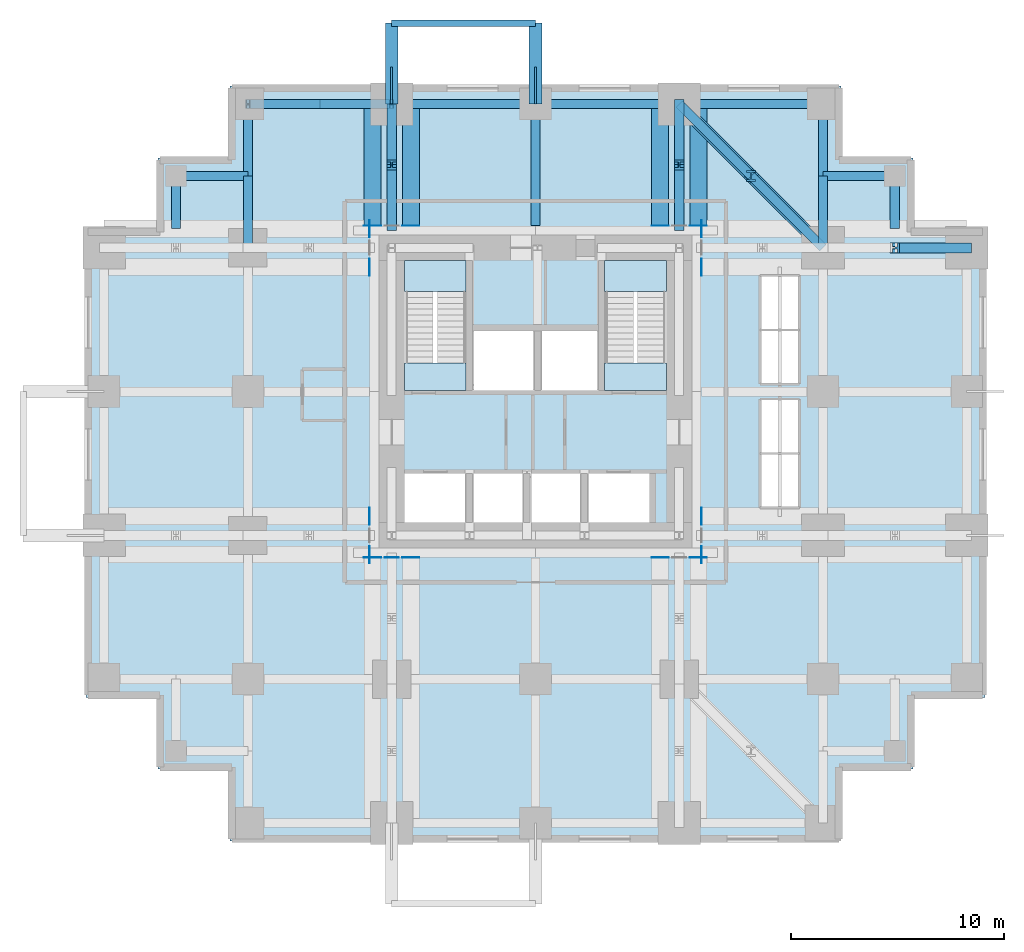
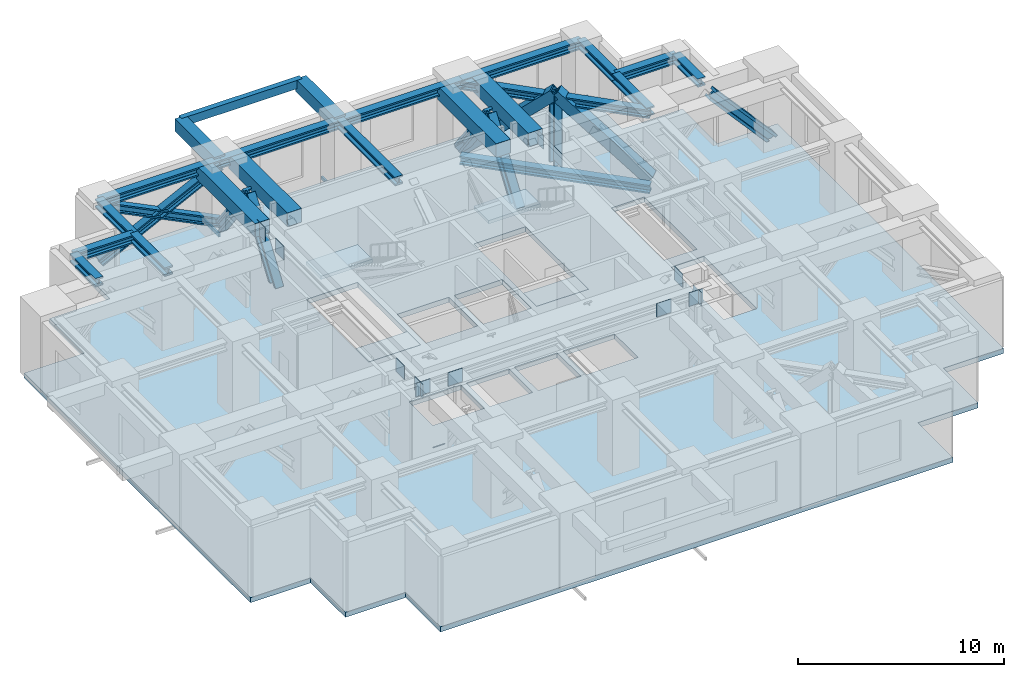
# One storey, part 3 of 6: 20 beams, 17 plates, 15 members, 5 slabs, 2 elements without a shape of their own.
"""IFC4 building model written with IfcOpenShell, lengths in metres."""

from ifc_helpers import new_model, si_unit, direction, frame, origin, origin_2d, place, context, subcontext, project, spatial, polyline, rectangle, hollow_rectangle, i_section, outline, extrude, material, layer, layer_set, material_profile, profile_set, type_object, element, aggregate, save


model = new_model("IFC4")

# Units and contexts
model_context = context("Model", 3, precision=1e-05, world=origin(), true_north=direction((0.0, 1.0)))
body_context = subcontext(model_context, "Body", "Model", "MODEL_VIEW")
ifc_project = project(units=[si_unit("LENGTHUNIT", "METRE"), si_unit("AREAUNIT", "SQUARE_METRE"), si_unit("VOLUMEUNIT", "CUBIC_METRE"), si_unit("PLANEANGLEUNIT", "RADIAN"), si_unit("MASSUNIT", "GRAM", prefix="KILO")], contexts=[model_context])

# Site, building, storey
site_placement = place(None, origin())
site = spatial("IfcSite", under=ifc_project, at=site_placement, CompositionType="ELEMENT")
building_placement = place(site_placement, origin())
building = spatial("IfcBuilding", under=site, at=building_placement, Name="Nyansa Garden Tower", CompositionType="ELEMENT")
storey_placement = place(building_placement, frame((0.0, 0.0, 137.699951171875)))
storey = spatial("IfcBuildingStorey", under=building, at=storey_placement, Name="L37", CompositionType="ELEMENT", Elevation=137.699951171875)

# Beams
ifc_material_1 = material(Name="Concrete C70/85", Category="concrete")
ifc_material_profile_1 = material_profile(ifc_material_1, rectangle(XDim=0.60009765625, YDim=0.75, at=origin_2d()), Name="RC 600x750")
ifc_profile_set_1 = profile_set([ifc_material_profile_1], Name="Concrete C70/85")
beam_type_1 = type_object("IfcBeamType", Name="Balcony cantilever beam CB1 RC 600x750", PredefinedType="BEAM", material=ifc_profile_set_1)
for number, where, z_axis, x_axis, name in (
    (1, (13.5, 33.75, 3.885009765625), (0.0, 1.0, 0.0), (-1.0, 0.0, 0.0), "Balcony cantilever beam L38"),
    (2, (20.25, 33.75, 3.885009765625), (0.0, 1.0, 0.0), (-1.0, 0.0, 0.0), "Balcony cantilever beam L38"),
):
    element("IfcBeam", number, at=place(storey_placement, frame(where, z_axis=z_axis, x_axis=x_axis)), inside=storey, type_object=beam_type_1, Name=name, PredefinedType="BEAM", context=body_context, shape_type="SweptSolid", body=[
        extrude(rectangle(XDim=0.60009765625, YDim=0.75, at=origin_2d()), origin(), (0.0, 0.0, 1.0), 3.800048828125),
    ])
ifc_material_2 = material(Name="Concrete C70/85", Category="concrete")
ifc_material_profile_2 = material_profile(ifc_material_2, rectangle(XDim=0.300048828125, YDim=0.5, at=origin_2d()), Name="RC 300x500")
ifc_profile_set_2 = profile_set([ifc_material_profile_2], Name="Concrete C70/85")
beam_type_2 = type_object("IfcBeamType", Name="Balcony edge beam BE1 RC 300x500", PredefinedType="BEAM", material=ifc_profile_set_2)
beam_1_placement = place(storey_placement, frame((13.5, 37.550048828125, 4.010009765625), z_axis=(1.0, 0.0, 0.0), x_axis=(0.0, 1.0, 0.0)))
element("IfcBeam", 3, at=beam_1_placement, inside=storey, type_object=beam_type_2, Name="Balcony edge beam L38", PredefinedType="BEAM", context=body_context, shape_type="SweptSolid", body=[
    extrude(rectangle(XDim=0.300048828125, YDim=0.5, at=origin_2d()), origin(), (0.0, 0.0, 1.0), 6.75),
])

# Members
ifc_material_3 = material(Name="Steel S355", Category="steel")
ifc_material_profile_3 = material_profile(ifc_material_3, i_section(OverallWidth=0.424072265625, OverallDepth=0.47412109375, WebThickness=0.047607421875, FlangeThickness=0.076904296875, FilletRadius=0.014892578125, at=origin_2d()), Name="HD 400x634")
ifc_profile_set_3 = profile_set([ifc_material_profile_3], Name="Steel S355")
member_type_1 = type_object("IfcMemberType", Name="Belt truss diagonal HD 400x634", PredefinedType="BRACE", material=ifc_profile_set_3)
for number, where, z_axis, x_axis, name in (
    (4, (6.75, 33.75, 0.400146484375), (0.895758031475, 0.0, 0.444541954205), (0.0, 1.0, 0.0), "Belt truss diagonal N1a L37"),
    (5, (13.5, 33.75, 0.400146484375), (-0.895758031475, 0.0, 0.444541954205), (0.0, -1.0, 0.0), "Belt truss diagonal N1b L37"),
):
    element("IfcMember", number, at=place(storey_placement, frame(where, z_axis=z_axis, x_axis=x_axis)), inside=storey, type_object=member_type_1, Name=name, PredefinedType="BRACE", context=body_context, shape_type="SweptSolid", body=[
        extrude(i_section(OverallWidth=0.424072265625, OverallDepth=0.47412109375, WebThickness=0.047607421875, FlangeThickness=0.076904296875, FilletRadius=0.014892578125, at=origin_2d()), origin(), (0.0, 0.0, 1.0), 7.535400390625),
    ])
ifc_material_4 = material(Name="Steel S355, black powder coated", Category="steel")
ifc_material_profile_4 = material_profile(ifc_material_4, hollow_rectangle(XDim=0.10009765625, YDim=0.199951171875, WallThickness=0.008056640625, at=origin_2d()), Name="RHS 200x100x8")
ifc_profile_set_4 = profile_set([ifc_material_profile_4], Name="Steel S355, black powder coated")
member_type_2 = type_object("IfcMemberType", Name="Outer skin bracket arm RHS 200x100x8", PredefinedType="USERDEFINED", material=ifc_profile_set_4)
for number, where, z_axis, x_axis, name in (
    (6, (13.5, 33.75, -0.449951171875), (0.0, 1.0, 0.0), (-1.0, 0.0, 0.0), "Outer skin bracket arm"),
    (7, (20.25, 33.75, -0.449951171875), (0.0, 1.0, 0.0), (-1.0, 0.0, 0.0), "Outer skin bracket arm"),
):
    element("IfcMember", number, at=place(storey_placement, frame(where, z_axis=z_axis, x_axis=x_axis)), inside=storey, type_object=member_type_2, Name=name, ObjectType="OUTER SKIN BRACKET", PredefinedType="USERDEFINED", context=body_context, shape_type="SweptSolid", body=[
        extrude(hollow_rectangle(XDim=0.10009765625, YDim=0.199951171875, WallThickness=0.008056640625, at=origin_2d()), origin(), (0.0, 0.0, 1.0), 1.75),
    ])

# Beams
ifc_material_5 = material(Name="Steel S355", Category="steel")
ifc_material_profile_5 = material_profile(ifc_material_5, hollow_rectangle(XDim=0.800048828125, YDim=0.800048828125, WallThickness=0.125, at=origin_2d()), Name="Welded box 800x800x125")
ifc_profile_set_5 = profile_set([ifc_material_profile_5], Name="Steel S355")
beam_type_3 = type_object("IfcBeamType", Name="Outrigger chord OC3 welded box 800x800x125 S355", PredefinedType="BEAM", material=ifc_profile_set_5)
for number, where, z_axis, x_axis, name in (
    (8, (12.60009765625, 28.050048828125, 3.75), (0.0, 1.0, 0.0), (-1.0, 0.0, 0.0), "Beam 4/28.050-4/J L38 a"),
    (9, (14.39990234375, 28.050048828125, 3.75), (0.0, 1.0, 0.0), (-1.0, 0.0, 0.0), "Beam 4/28.050-4/J L38 b"),
    (10, (26.10009765625, 28.050048828125, 3.75), (0.0, 1.0, 0.0), (-1.0, 0.0, 0.0), "Beam 6/28.050-6/J L38 a"),
    (11, (27.89990234375, 28.050048828125, 3.75), (0.0, 1.0, 0.0), (-1.0, 0.0, 0.0), "Beam 6/28.050-6/J L38 b"),
):
    element("IfcBeam", number, at=place(storey_placement, frame(where, z_axis=z_axis, x_axis=x_axis)), inside=storey, type_object=beam_type_3, Name=name, PredefinedType="BEAM", context=body_context, shape_type="SweptSolid", body=[
        extrude(hollow_rectangle(XDim=0.800048828125, YDim=0.800048828125, WallThickness=0.125, at=origin_2d()), origin(), (0.0, 0.0, 1.0), 5.699951171875),
    ])

# Members
ifc_material_6 = material(Name="Steel S355", Category="steel")
ifc_material_profile_6 = material_profile(ifc_material_6, i_section(OverallWidth=0.4541015625, OverallDepth=0.569091796875, WebThickness=0.077880859375, FlangeThickness=0.125, FilletRadius=0.014892578125, at=origin_2d()), Name="HD 400x1086")
ifc_profile_set_6 = profile_set([ifc_material_profile_6], Name="Steel S355")
member_type_3 = type_object("IfcMemberType", Name="Outrigger truss diagonal HD 400x1086", PredefinedType="BRACE", material=ifc_profile_set_6)
member_1_placement = place(storey_placement, frame((13.5, 28.050048828125, -0.300048828125), z_axis=(0.0, 0.570742116103, 0.82112936673), x_axis=(-1.0, 0.0, 0.0)))
element("IfcMember", 12, at=member_1_placement, inside=storey, type_object=member_type_3, Name="Outrigger truss diagonal L37 3.1a", PredefinedType="BRACE", context=body_context, shape_type="SweptSolid", body=[
    extrude(i_section(OverallWidth=0.4541015625, OverallDepth=0.569091796875, WebThickness=0.077880859375, FlangeThickness=0.125, FilletRadius=0.014892578125, at=origin_2d()), origin(), (0.0, 0.0, 1.0), 4.9931640625),
])
member_2_placement = place(storey_placement, frame((13.5, 33.75, 0.0), z_axis=(0.0, -0.600008223483, 0.799993832321), x_axis=(1.0, 0.0, 0.0)))
element("IfcMember", 13, at=member_2_placement, inside=storey, type_object=member_type_3, Name="Outrigger truss diagonal L37 3.1b", PredefinedType="BRACE", context=body_context, shape_type="SweptSolid", body=[
    extrude(i_section(OverallWidth=0.4541015625, OverallDepth=0.569091796875, WebThickness=0.077880859375, FlangeThickness=0.125, FilletRadius=0.014892578125, at=origin_2d()), origin(), (0.0, 0.0, 1.0), 4.75),
])
member_3_placement = place(storey_placement, frame((27.0, 28.050048828125, -0.300048828125), z_axis=(0.0, 0.570742116103, 0.82112936673), x_axis=(-1.0, 0.0, 0.0)))
element("IfcMember", 14, at=member_3_placement, inside=storey, type_object=member_type_3, Name="Outrigger truss diagonal L37 4.1a", PredefinedType="BRACE", context=body_context, shape_type="SweptSolid", body=[
    extrude(i_section(OverallWidth=0.4541015625, OverallDepth=0.569091796875, WebThickness=0.077880859375, FlangeThickness=0.125, FilletRadius=0.014892578125, at=origin_2d()), origin(), (0.0, 0.0, 1.0), 4.9931640625),
])
member_4_placement = place(storey_placement, frame((27.0, 33.75, 0.0), z_axis=(0.0, -0.600008223483, 0.799993832321), x_axis=(1.0, 0.0, 0.0)))
element("IfcMember", 15, at=member_4_placement, inside=storey, type_object=member_type_3, Name="Outrigger truss diagonal L37 4.1b", PredefinedType="BRACE", context=body_context, shape_type="SweptSolid", body=[
    extrude(i_section(OverallWidth=0.4541015625, OverallDepth=0.569091796875, WebThickness=0.077880859375, FlangeThickness=0.125, FilletRadius=0.014892578125, at=origin_2d()), origin(), (0.0, 0.0, 1.0), 4.75),
])
ifc_material_7 = material(Name="Steel S355", Category="steel")
ifc_material_profile_7 = material_profile(ifc_material_7, i_section(OverallWidth=0.47607421875, OverallDepth=0.60009765625, WebThickness=0.10009765625, FlangeThickness=0.139892578125, FilletRadius=0.014892578125, at=origin_2d()), Name="HD 400x1299")
ifc_profile_set_7 = profile_set([ifc_material_profile_7], Name="Steel S355")
member_type_4 = type_object("IfcMemberType", Name="Outrigger truss diagonal HD 400x1299", PredefinedType="BRACE", material=ifc_profile_set_7)
member_5_placement = place(storey_placement, frame((40.5, 27.0, 0.0), z_axis=(-0.664053699108, 0.0, 0.747684883291), x_axis=(0.0, -1.0, 0.0)))
element("IfcMember", 16, at=member_5_placement, inside=storey, type_object=member_type_4, Name="Outrigger truss diagonal L37 8.2b", PredefinedType="BRACE", context=body_context, shape_type="SweptSolid", body=[
    extrude(i_section(OverallWidth=0.47607421875, OverallDepth=0.60009765625, WebThickness=0.10009765625, FlangeThickness=0.139892578125, FilletRadius=0.014892578125, at=origin_2d()), origin(), (0.0, 0.0, 1.0), 5.08251953125),
])

# Beams
ifc_material_8 = material(Name="Steel S355", Category="steel")
ifc_material_profile_8 = material_profile(ifc_material_8, i_section(OverallWidth=0.431884765625, OverallDepth=0.498046875, WebThickness=0.0556640625, FlangeThickness=0.0888671875, FilletRadius=0.014892578125, at=origin_2d()), Name="HD 400x744")
ifc_profile_set_8 = profile_set([ifc_material_profile_8], Name="Steel S355")
beam_type_4 = type_object("IfcBeamType", Name="Steel beam SBB2-744 HD 400x744", PredefinedType="BEAM", material=ifc_profile_set_8)
beam_2_placement = place(storey_placement, frame((6.75, 27.0, 3.901123046875), z_axis=(0.0, 1.0, 0.0), x_axis=(-1.0, 0.0, 0.0)))
element("IfcBeam", 17, at=beam_2_placement, inside=storey, type_object=beam_type_4, Name="Steel beam 3/H-3/30.375 L38", PredefinedType="BEAM", context=body_context, shape_type="SweptSolid", body=[
    extrude(i_section(OverallWidth=0.431884765625, OverallDepth=0.498046875, WebThickness=0.0556640625, FlangeThickness=0.0888671875, FilletRadius=0.014892578125, at=origin_2d()), origin(), (0.0, 0.0, 1.0), 3.375),
])
beam_3_placement = place(storey_placement, frame((20.25, 28.050048828125, 3.901123046875), z_axis=(0.0, 1.0, 0.0), x_axis=(-1.0, 0.0, 0.0)))
element("IfcBeam", 18, at=beam_3_placement, inside=storey, type_object=beam_type_4, Name="Steel beam 5/28.050-5/J L38", PredefinedType="BEAM", context=body_context, shape_type="SweptSolid", body=[
    extrude(i_section(OverallWidth=0.431884765625, OverallDepth=0.498046875, WebThickness=0.0556640625, FlangeThickness=0.0888671875, FilletRadius=0.014892578125, at=origin_2d()), origin(), (0.0, 0.0, 1.0), 5.699951171875),
])
beam_4_placement = place(storey_placement, frame((33.75, 27.0, 3.901123046875), z_axis=(0.0, 1.0, 0.0), x_axis=(-1.0, 0.0, 0.0)))
element("IfcBeam", 19, at=beam_4_placement, inside=storey, type_object=beam_type_4, Name="Steel beam 7/H-7/30.375 L38", PredefinedType="BEAM", context=body_context, shape_type="SweptSolid", body=[
    extrude(i_section(OverallWidth=0.431884765625, OverallDepth=0.498046875, WebThickness=0.0556640625, FlangeThickness=0.0888671875, FilletRadius=0.014892578125, at=origin_2d()), origin(), (0.0, 0.0, 1.0), 3.375),
])
ifc_material_9 = material(Name="Steel S355", Category="steel")
ifc_material_profile_9 = material_profile(ifc_material_9, i_section(OverallWidth=0.431884765625, OverallDepth=0.498046875, WebThickness=0.0556640625, FlangeThickness=0.0888671875, FilletRadius=0.014892578125, at=origin_2d()), Name="HD 400x744")
ifc_profile_set_9 = profile_set([ifc_material_profile_9], Name="Steel S355")
beam_type_5 = type_object("IfcBeamType", Name="Steel beam SEBB-744 HD 400x744", PredefinedType="BEAM", material=ifc_profile_set_9)
for number, where, z_axis, x_axis, name in (
    (20, (6.75, 33.75, 3.901123046875), (1.0, 0.0, 0.0), (0.0, 1.0, 0.0), "Steel edge beam 3/J-4/J L38"),
    (21, (13.5, 33.75, 3.901123046875), (1.0, 0.0, 0.0), (0.0, 1.0, 0.0), "Steel edge beam 4/J-5/J L38"),
    (22, (20.25, 33.75, 3.901123046875), (1.0, 0.0, 0.0), (0.0, 1.0, 0.0), "Steel edge beam 5/J-6/J L38"),
    (23, (27.0, 33.75, 3.901123046875), (1.0, 0.0, 0.0), (0.0, 1.0, 0.0), "Steel edge beam 6/J-7/J L38"),
):
    element("IfcBeam", number, at=place(storey_placement, frame(where, z_axis=z_axis, x_axis=x_axis)), inside=storey, type_object=beam_type_5, Name=name, PredefinedType="BEAM", context=body_context, shape_type="SweptSolid", body=[
        extrude(i_section(OverallWidth=0.431884765625, OverallDepth=0.498046875, WebThickness=0.0556640625, FlangeThickness=0.0888671875, FilletRadius=0.014892578125, at=origin_2d()), origin(), (0.0, 0.0, 1.0), 6.75),
    ])
ifc_material_10 = material(Name="Steel S355", Category="steel")
ifc_material_profile_10 = material_profile(ifc_material_10, i_section(OverallWidth=0.431884765625, OverallDepth=0.498046875, WebThickness=0.0556640625, FlangeThickness=0.0888671875, FilletRadius=0.014892578125, at=origin_2d()), Name="HD 400x744")
ifc_profile_set_10 = profile_set([ifc_material_profile_10], Name="Steel S355")
beam_type_6 = type_object("IfcBeamType", Name="Steel beam SEBB2-744 HD 400x744", PredefinedType="BEAM", material=ifc_profile_set_10)
for number, where, z_axis, x_axis, name in (
    (24, (6.75, 30.375, 3.901123046875), (0.0, 1.0, 0.0), (-1.0, 0.0, 0.0), "Steel edge beam 3/30.375-3/J L38"),
    (25, (33.75, 30.375, 3.901123046875), (0.0, 1.0, 0.0), (-1.0, 0.0, 0.0), "Steel edge beam 7/30.375-7/J L38"),
):
    element("IfcBeam", number, at=place(storey_placement, frame(where, z_axis=z_axis, x_axis=x_axis)), inside=storey, type_object=beam_type_6, Name=name, PredefinedType="BEAM", context=body_context, shape_type="SweptSolid", body=[
        extrude(i_section(OverallWidth=0.431884765625, OverallDepth=0.498046875, WebThickness=0.0556640625, FlangeThickness=0.0888671875, FilletRadius=0.014892578125, at=origin_2d()), origin(), (0.0, 0.0, 1.0), 3.375),
    ])
ifc_material_11 = material(Name="Steel S355", Category="steel")
ifc_material_profile_11 = material_profile(ifc_material_11, i_section(OverallWidth=0.431884765625, OverallDepth=0.498046875, WebThickness=0.0556640625, FlangeThickness=0.0888671875, FilletRadius=0.014892578125, at=origin_2d()), Name="HD 400x744")
ifc_profile_set_11 = profile_set([ifc_material_profile_11], Name="Steel S355")
beam_type_7 = type_object("IfcBeamType", Name="Steel beam SSB1-744 HD 400x744", PredefinedType="BEAM", material=ifc_profile_set_11)
beam_5_placement = place(storey_placement, frame((37.125, 30.375, 3.901123046875), z_axis=(0.0, -1.0, 0.0), x_axis=(1.0, 0.0, 0.0)))
element("IfcBeam", 26, at=beam_5_placement, inside=storey, type_object=beam_type_7, Name="Steel step beam 37.125/30.375 L38", PredefinedType="BEAM", context=body_context, shape_type="SweptSolid", body=[
    extrude(i_section(OverallWidth=0.431884765625, OverallDepth=0.498046875, WebThickness=0.0556640625, FlangeThickness=0.0888671875, FilletRadius=0.014892578125, at=origin_2d()), origin(), (0.0, 0.0, 1.0), 2.47509765625),
])
beam_6_placement = place(storey_placement, frame((37.125, 30.375, 3.901123046875), z_axis=(-1.0, 0.0, 0.0), x_axis=(0.0, -1.0, 0.0)))
element("IfcBeam", 27, at=beam_6_placement, inside=storey, type_object=beam_type_7, Name="Steel step beam 37.125/30.375 L38", PredefinedType="BEAM", context=body_context, shape_type="SweptSolid", body=[
    extrude(i_section(OverallWidth=0.431884765625, OverallDepth=0.498046875, WebThickness=0.0556640625, FlangeThickness=0.0888671875, FilletRadius=0.014892578125, at=origin_2d()), origin(), (0.0, 0.0, 1.0), 3.375),
])
beam_7_placement = place(storey_placement, frame((3.375, 30.375, 3.901123046875), z_axis=(0.0, -1.0, 0.0), x_axis=(1.0, 0.0, 0.0)))
element("IfcBeam", 28, at=beam_7_placement, inside=storey, type_object=beam_type_7, Name="Steel step beam 3.375/30.375 L38", PredefinedType="BEAM", context=body_context, shape_type="SweptSolid", body=[
    extrude(i_section(OverallWidth=0.431884765625, OverallDepth=0.498046875, WebThickness=0.0556640625, FlangeThickness=0.0888671875, FilletRadius=0.014892578125, at=origin_2d()), origin(), (0.0, 0.0, 1.0), 2.47509765625),
])
beam_8_placement = place(storey_placement, frame((3.375, 30.375, 3.901123046875), z_axis=(1.0, 0.0, 0.0), x_axis=(0.0, 1.0, 0.0)))
element("IfcBeam", 29, at=beam_8_placement, inside=storey, type_object=beam_type_7, Name="Steel step beam 3.375/30.375 L38", PredefinedType="BEAM", context=body_context, shape_type="SweptSolid", body=[
    extrude(i_section(OverallWidth=0.431884765625, OverallDepth=0.498046875, WebThickness=0.0556640625, FlangeThickness=0.0888671875, FilletRadius=0.014892578125, at=origin_2d()), origin(), (0.0, 0.0, 1.0), 3.375),
])

# Members
ifc_material_12 = material(Name="Steel S355", Category="steel")
ifc_material_profile_12 = material_profile(ifc_material_12, hollow_rectangle(XDim=0.60009765625, YDim=0.60009765625, WallThickness=0.070068359375, at=origin_2d()), Name="Welded box 600x600x70")
ifc_profile_set_12 = profile_set([ifc_material_profile_12], Name="Steel S355")
member_type_5 = type_object("IfcMemberType", Name="Transfer truss diagonal TT4 welded box 600x600x70 S355", PredefinedType="BRACE", material=ifc_profile_set_12)
for number, where, z_axis, x_axis, name in (
    (30, (27.0, 33.75, 0.0), (0.530849130986, -0.530849130986, 0.660604571785), (0.707106781187, 0.707106781187, 0.0), "Transfer truss diagonal L38 30.375/30.375 a"),
    (31, (33.75, 27.0, 0.0), (-0.530849130986, 0.530849130986, 0.660604571785), (-0.707106781187, -0.707106781187, 0.0), "Transfer truss diagonal L38 30.375/30.375 b"),
):
    element("IfcMember", number, at=place(storey_placement, frame(where, z_axis=z_axis, x_axis=x_axis)), inside=storey, type_object=member_type_5, Name=name, PredefinedType="BRACE", context=body_context, shape_type="SweptSolid", body=[
        extrude(hollow_rectangle(XDim=0.60009765625, YDim=0.60009765625, WallThickness=0.070068359375, at=origin_2d()), origin(), (0.0, 0.0, 1.0), 6.357666015625),
    ])
ifc_material_13 = material(Name="Steel S355", Category="steel")
ifc_material_profile_13 = material_profile(ifc_material_13, i_section(OverallWidth=0.431884765625, OverallDepth=0.498046875, WebThickness=0.0556640625, FlangeThickness=0.0888671875, FilletRadius=0.014892578125, at=origin_2d()), Name="HD 400x744")
ifc_profile_set_13 = profile_set([ifc_material_profile_13], Name="Steel S355")
member_type_6 = type_object("IfcMemberType", Name="Transfer truss king post HD 400x744", PredefinedType="MEMBER", material=ifc_profile_set_13)
member_6_placement = place(storey_placement, frame((30.375, 30.375, -0.599853515625), z_axis=(0.0, 0.0, 1.0), x_axis=(1.0, 0.0, 0.0)))
element("IfcMember", 32, at=member_6_placement, inside=storey, type_object=member_type_6, Name="Transfer truss king post L38 30.375/30.375", PredefinedType="MEMBER", context=body_context, shape_type="SweptSolid", body=[
    extrude(i_section(OverallWidth=0.431884765625, OverallDepth=0.498046875, WebThickness=0.0556640625, FlangeThickness=0.0888671875, FilletRadius=0.014892578125, at=origin_2d()), origin(), (0.0, 0.0, 1.0), 4.75),
])
ifc_material_14 = material(Name="Steel S355", Category="steel")
ifc_material_profile_14 = material_profile(ifc_material_14, i_section(OverallWidth=0.431884765625, OverallDepth=0.498046875, WebThickness=0.0556640625, FlangeThickness=0.0888671875, FilletRadius=0.014892578125, at=origin_2d()), Name="HD 400x744")
ifc_profile_set_14 = profile_set([ifc_material_profile_14], Name="Steel S355")
member_type_7 = type_object("IfcMemberType", Name="Transfer truss tie HD 400x744", PredefinedType="MEMBER", material=ifc_profile_set_14)
for number, where, z_axis, x_axis, name in (
    (33, (27.0, 33.75, 3.85009765625), (0.707106781187, -0.707106781187, 0.0), (0.707106781187, 0.707106781187, 0.0), "Transfer truss tie L38 30.375/30.375 top a"),
    (34, (33.75, 27.0, 3.85009765625), (-0.707106781187, 0.707106781187, 0.0), (-0.707106781187, -0.707106781187, 0.0), "Transfer truss tie L38 30.375/30.375 top b"),
):
    element("IfcMember", number, at=place(storey_placement, frame(where, z_axis=z_axis, x_axis=x_axis)), inside=storey, type_object=member_type_7, Name=name, PredefinedType="MEMBER", context=body_context, shape_type="SweptSolid", body=[
        extrude(i_section(OverallWidth=0.431884765625, OverallDepth=0.498046875, WebThickness=0.0556640625, FlangeThickness=0.0888671875, FilletRadius=0.014892578125, at=origin_2d()), origin(), (0.0, 0.0, 1.0), 4.77294921875),
    ])
member_7_placement = place(storey_placement, frame((27.0, 33.75, -0.599853515625), z_axis=(0.707106781187, -0.707106781187, 0.0), x_axis=(0.707106781187, 0.707106781187, 0.0)))
element("IfcMember", 35, at=member_7_placement, inside=storey, type_object=member_type_7, Name="Transfer truss tie L38 30.375/30.375 bottom", PredefinedType="MEMBER", context=body_context, shape_type="SweptSolid", body=[
    extrude(i_section(OverallWidth=0.431884765625, OverallDepth=0.498046875, WebThickness=0.0556640625, FlangeThickness=0.0888671875, FilletRadius=0.014892578125, at=origin_2d()), origin(), (0.0, 0.0, 1.0), 9.5458984375),
])

# Slab
ifc_material_15 = material(Name="Concrete C40/50", Category="concrete")
ifc_layer_1 = layer(ifc_material_15, 0.300048828125)
ifc_layer_set_1 = layer_set([ifc_layer_1], Name="Floor slab FS300")
slab_type_1 = type_object("IfcSlabType", Name="Floor slab FS300", PredefinedType="FLOOR", material=ifc_layer_set_1)
slab_1_placement = place(storey_placement, frame((0.0, 0.0, -0.300048828125)))
element("IfcSlab", 36, at=slab_1_placement, inside=storey, type_object=slab_type_1, Name="Floor slab L37", PredefinedType="FLOOR", context=body_context, shape_type="SweptSolid", body=[
    extrude(outline(polyline([(41.35009765625, 5.89990234375), (37.97509765625, 5.89990234375), (37.97509765625, 2.52490234375), (34.60009765625, 2.52490234375), (34.60009765625, -0.85009765625), (5.89990234375, -0.85009765625), (5.89990234375, 2.52490234375), (2.52490234375, 2.52490234375), (2.52490234375, 5.89990234375), (-0.85009765625, 5.89990234375), (-0.85009765625, 27.85009765625), (2.52490234375, 27.85009765625), (2.52490234375, 31.22509765625), (5.89990234375, 31.22509765625), (5.89990234375, 34.60009765625), (34.60009765625, 34.60009765625), (34.60009765625, 31.22509765625), (37.97509765625, 31.22509765625), (37.97509765625, 27.85009765625), (41.35009765625, 27.85009765625), (41.35009765625, 5.89990234375)]), holes=[polyline([(14.10009765625, 14.10009765625), (17.0, 14.10009765625), (17.0, 16.39990234375), (14.10009765625, 16.39990234375), (14.10009765625, 14.10009765625)]), polyline([(17.300048828125, 14.10009765625), (19.699951171875, 14.10009765625), (19.699951171875, 16.39990234375), (17.300048828125, 16.39990234375), (17.300048828125, 14.10009765625)]), polyline([(20.0, 14.10009765625), (22.39990234375, 14.10009765625), (22.39990234375, 16.39990234375), (20.0, 16.39990234375), (20.0, 14.10009765625)]), polyline([(22.699951171875, 14.10009765625), (25.60009765625, 14.10009765625), (25.60009765625, 16.39990234375), (22.699951171875, 16.39990234375), (22.699951171875, 14.10009765625)]), polyline([(17.300048828125, 20.300048828125), (20.199951171875, 20.300048828125), (20.199951171875, 23.10009765625), (17.300048828125, 23.10009765625), (17.300048828125, 20.300048828125)]), polyline([(20.5, 20.300048828125), (23.199951171875, 20.300048828125), (23.199951171875, 23.10009765625), (20.5, 23.10009765625), (20.5, 20.300048828125)]), polyline([(30.800048828125, 14.800048828125), (32.64990234375, 14.800048828125), (32.64990234375, 19.89990234375), (30.800048828125, 19.89990234375), (30.800048828125, 14.800048828125)]), polyline([(30.800048828125, 20.60009765625), (32.64990234375, 20.60009765625), (32.64990234375, 25.699951171875), (30.800048828125, 25.699951171875), (30.800048828125, 20.60009765625)]), polyline([(14.10009765625, 20.300048828125), (17.0, 20.300048828125), (17.0, 26.39990234375), (14.10009765625, 26.39990234375), (14.10009765625, 20.300048828125)]), polyline([(23.5, 20.300048828125), (26.39990234375, 20.300048828125), (26.39990234375, 26.39990234375), (23.5, 26.39990234375), (23.5, 20.300048828125)])]), origin(), (0.0, 0.0, 1.0), 0.300048828125),
])

# Plates
ifc_material_16 = material(Name="Steel S355", Category="steel")
ifc_layer_2 = layer(ifc_material_16, 0.01611328125)
ifc_layer_set_2 = layer_set([ifc_layer_2], Name="Outrigger chord end plate ECP1")
plate_type = type_object("IfcPlateType", Name="Outrigger chord end plate ECP1", PredefinedType="USERDEFINED", material=ifc_layer_set_2)
for number, where, z_axis, x_axis, name in (
    (37, (12.4580078125, 14.39990234375, 3.35009765625), (0.0, 0.0, 1.0), (1.0, 0.0, 0.0), "Beam 3/F-12.450/F L38 a end plate"),
    (38, (12.4580078125, 12.60009765625, 3.35009765625), (0.0, 0.0, 1.0), (1.0, 0.0, 0.0), "Beam 3/F-12.450/F L38 b end plate"),
    (39, (12.4580078125, 27.89990234375, 3.35009765625), (0.0, 0.0, 1.0), (1.0, 0.0, 0.0), "Beam 3/H-12.450/H L38 a end plate"),
    (40, (12.4580078125, 26.10009765625, 3.35009765625), (0.0, 0.0, 1.0), (1.0, 0.0, 0.0), "Beam 3/H-12.450/H L38 b end plate"),
):
    element("IfcPlate", number, at=place(storey_placement, frame(where, z_axis=z_axis, x_axis=x_axis)), inside=storey, type_object=plate_type, Name=name, ObjectType="END PLATE", PredefinedType="USERDEFINED", context=body_context, shape_type="SweptSolid", body=[
        extrude(rectangle(XDim=0.01611328125, YDim=0.800048828125, at=origin_2d()), origin(), (0.0, 0.0, 1.0), 0.800048828125),
    ])
for number, where, z_axis, x_axis, name in (
    (41, (12.60009765625, 12.4580078125, 3.35009765625), (0.0, 0.0, 1.0), (1.0, 0.0, 0.0), "Beam 4/E-4/12.450 L38 a end plate"),
    (42, (14.39990234375, 12.4580078125, 3.35009765625), (0.0, 0.0, 1.0), (1.0, 0.0, 0.0), "Beam 4/E-4/12.450 L38 b end plate"),
    (43, (12.60009765625, 28.0419921875, 3.35009765625), (0.0, 0.0, 1.0), (1.0, 0.0, 0.0), "Beam 4/28.050-4/J L38 a end plate"),
    (44, (14.39990234375, 28.0419921875, 3.35009765625), (0.0, 0.0, 1.0), (1.0, 0.0, 0.0), "Beam 4/28.050-4/J L38 b end plate"),
    (45, (26.10009765625, 12.4580078125, 3.35009765625), (0.0, 0.0, 1.0), (1.0, 0.0, 0.0), "Beam 6/E-6/12.450 L38 a end plate"),
    (46, (27.89990234375, 12.4580078125, 3.35009765625), (0.0, 0.0, 1.0), (1.0, 0.0, 0.0), "Beam 6/E-6/12.450 L38 b end plate"),
):
    element("IfcPlate", number, at=place(storey_placement, frame(where, z_axis=z_axis, x_axis=x_axis)), inside=storey, type_object=plate_type, Name=name, ObjectType="END PLATE", PredefinedType="USERDEFINED", context=body_context, shape_type="SweptSolid", body=[
        extrude(rectangle(XDim=0.800048828125, YDim=0.01611328125, at=origin_2d()), origin(), (0.0, 0.0, 1.0), 0.800048828125),
    ])
for number, where, z_axis, x_axis, name in (
    (47, (28.0419921875, 14.39990234375, 3.35009765625), (0.0, 0.0, 1.0), (1.0, 0.0, 0.0), "Beam 28.050/F-7/F L38 a end plate"),
    (48, (28.0419921875, 12.60009765625, 3.35009765625), (0.0, 0.0, 1.0), (1.0, 0.0, 0.0), "Beam 28.050/F-7/F L38 b end plate"),
):
    element("IfcPlate", number, at=place(storey_placement, frame(where, z_axis=z_axis, x_axis=x_axis)), inside=storey, type_object=plate_type, Name=name, ObjectType="END PLATE", PredefinedType="USERDEFINED", context=body_context, shape_type="SweptSolid", body=[
        extrude(rectangle(XDim=0.01611328125, YDim=0.800048828125, at=origin_2d()), origin(), (0.0, 0.0, 1.0), 0.800048828125),
    ])
for number, where, z_axis, x_axis, name in (
    (49, (26.10009765625, 28.0419921875, 3.35009765625), (0.0, 0.0, 1.0), (1.0, 0.0, 0.0), "Beam 6/28.050-6/J L38 a end plate"),
    (50, (27.89990234375, 28.0419921875, 3.35009765625), (0.0, 0.0, 1.0), (1.0, 0.0, 0.0), "Beam 6/28.050-6/J L38 b end plate"),
):
    element("IfcPlate", number, at=place(storey_placement, frame(where, z_axis=z_axis, x_axis=x_axis)), inside=storey, type_object=plate_type, Name=name, ObjectType="END PLATE", PredefinedType="USERDEFINED", context=body_context, shape_type="SweptSolid", body=[
        extrude(rectangle(XDim=0.800048828125, YDim=0.01611328125, at=origin_2d()), origin(), (0.0, 0.0, 1.0), 0.800048828125),
    ])
for number, where, z_axis, x_axis, name in (
    (51, (28.0419921875, 27.89990234375, 3.35009765625), (0.0, 0.0, 1.0), (1.0, 0.0, 0.0), "Beam 28.050/H-7/H L38 a end plate"),
    (52, (28.0419921875, 26.10009765625, 3.35009765625), (0.0, 0.0, 1.0), (1.0, 0.0, 0.0), "Beam 28.050/H-7/H L38 b end plate"),
):
    element("IfcPlate", number, at=place(storey_placement, frame(where, z_axis=z_axis, x_axis=x_axis)), inside=storey, type_object=plate_type, Name=name, ObjectType="END PLATE", PredefinedType="USERDEFINED", context=body_context, shape_type="SweptSolid", body=[
        extrude(rectangle(XDim=0.01611328125, YDim=0.800048828125, at=origin_2d()), origin(), (0.0, 0.0, 1.0), 0.800048828125),
    ])
plate_placement = place(storey_placement, frame((13.5, 12.4580078125, -0.625), z_axis=(0.0, 0.0, 1.0), x_axis=(1.0, 0.0, 0.0)))
element("IfcPlate", 53, at=plate_placement, inside=storey, type_object=plate_type, Name="Outrigger diagonal L37 1.2b gusset end plate", ObjectType="END PLATE", PredefinedType="USERDEFINED", context=body_context, shape_type="SweptSolid", body=[
    extrude(rectangle(XDim=0.64990234375, YDim=0.01611328125, at=origin_2d()), origin(), (0.0, 0.0, 1.0), 0.64990234375),
])

# Stair, slabs
ifc_material_17 = material(Name="Precast concrete C40/50", Category="concrete")
stair_type_1 = type_object("IfcStairType", Name="Stair S1 173x280", PredefinedType="HALF_TURN_STAIR", material=ifc_material_17)
stair_1_placement = place(storey_placement, origin())
stair_1 = element("IfcStair", 54, at=stair_1_placement, inside=storey, type_object=stair_type_1, Name="Stair S1 L37", PredefinedType="HALF_TURN_STAIR")
ifc_material_18 = material(Name="Concrete C40/50", Category="concrete")
ifc_layer_3 = layer(ifc_material_18, 0.199951171875)
ifc_layer_set_3 = layer_set([ifc_layer_3], Name="Stair landing SL200")
slab_type_2 = type_object("IfcSlabType", Name="Stair landing SL200", PredefinedType="LANDING", material=ifc_layer_set_3)
slab_2_placement = place(storey_placement, frame((0.0, 0.0, -0.199951171875)))
slab_2 = element("IfcSlab", 55, at=slab_2_placement, type_object=slab_type_2, Name="S1 landing 1", PredefinedType="LANDING", context=body_context, shape_type="SweptSolid", body=[
    extrude(outline(polyline([(14.10009765625, 20.300048828125), (17.0, 20.300048828125), (17.0, 21.60009765625), (14.10009765625, 21.60009765625), (14.10009765625, 20.300048828125)])), origin(), (0.0, 0.0, 1.0), 0.199951171875),
])
slab_3_placement = place(storey_placement, frame((0.0, 0.0, 2.050048828125)))
slab_3 = element("IfcSlab", 56, at=slab_3_placement, type_object=slab_type_2, Name="S1 landing 2", PredefinedType="LANDING", context=body_context, shape_type="SweptSolid", body=[
    extrude(outline(polyline([(14.10009765625, 24.9599609375), (17.0, 24.9599609375), (17.0, 26.39990234375), (14.10009765625, 26.39990234375), (14.10009765625, 24.9599609375)])), origin(), (0.0, 0.0, 1.0), 0.199951171875),
])
aggregate(stair_1, [slab_2, slab_3])

ifc_material_19 = material(Name="Precast concrete C40/50", Category="concrete")
stair_type_2 = type_object("IfcStairType", Name="Stair S2 173x280", PredefinedType="HALF_TURN_STAIR", material=ifc_material_19)
stair_2_placement = place(storey_placement, origin())
stair_2 = element("IfcStair", 57, at=stair_2_placement, inside=storey, type_object=stair_type_2, Name="Stair S2 L37", PredefinedType="HALF_TURN_STAIR")
slab_4_placement = place(storey_placement, frame((0.0, 0.0, -0.199951171875)))
slab_4 = element("IfcSlab", 58, at=slab_4_placement, type_object=slab_type_2, Name="S2 landing 1", PredefinedType="LANDING", context=body_context, shape_type="SweptSolid", body=[
    extrude(outline(polyline([(23.5, 20.300048828125), (26.39990234375, 20.300048828125), (26.39990234375, 21.60009765625), (23.5, 21.60009765625), (23.5, 20.300048828125)])), origin(), (0.0, 0.0, 1.0), 0.199951171875),
])
slab_5_placement = place(storey_placement, frame((0.0, 0.0, 2.050048828125)))
slab_5 = element("IfcSlab", 59, at=slab_5_placement, type_object=slab_type_2, Name="S2 landing 2", PredefinedType="LANDING", context=body_context, shape_type="SweptSolid", body=[
    extrude(outline(polyline([(23.5, 24.9599609375), (26.39990234375, 24.9599609375), (26.39990234375, 26.39990234375), (23.5, 26.39990234375), (23.5, 24.9599609375)])), origin(), (0.0, 0.0, 1.0), 0.199951171875),
])
aggregate(stair_2, [slab_4, slab_5])

save(model, "model.ifc")
